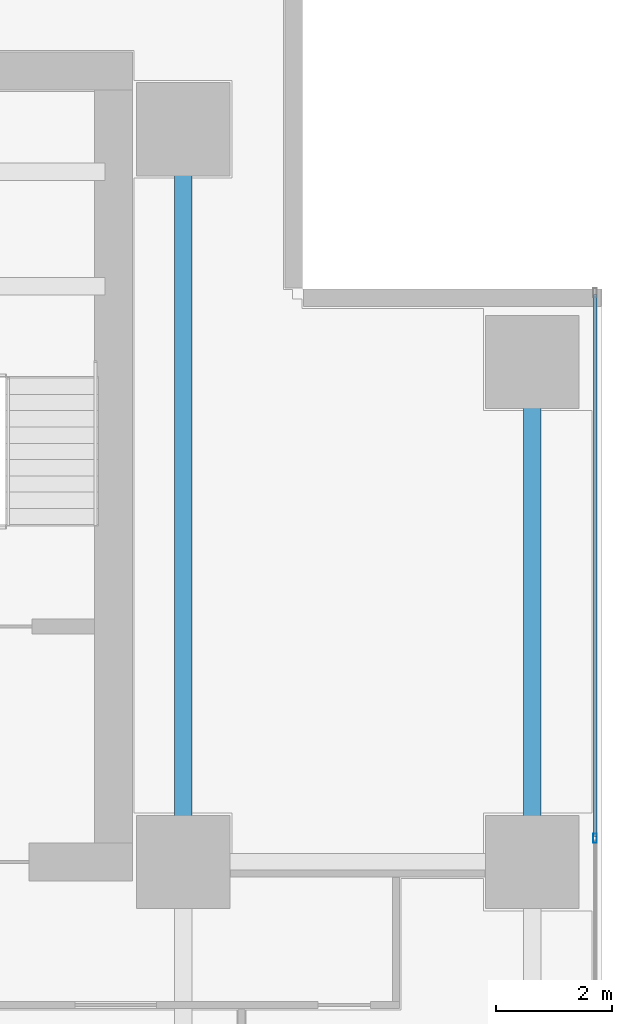
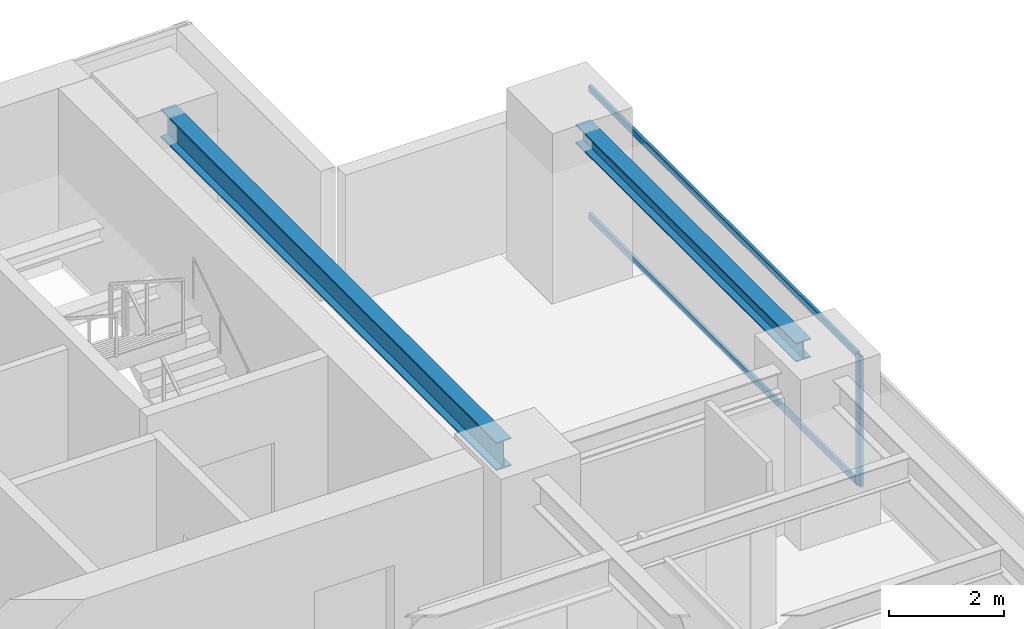
# One storey, part 18 of 28: 3 members, 2 beams, 1 element without a shape of its own.
"""IFC4 building model written with IfcOpenShell, lengths in metres."""

from ifc_helpers import new_model, si_unit, direction, frame, origin, origin_2d, place, context, subcontext, project, spatial, hollow_rectangle, i_section, extrude, source, transform, mapped, material, layer, layer_set, material_profile, profile_set, type_object, element, aggregate, save


model = new_model("IFC4")

# Units and contexts
model_context = context("Model", 3, precision=1e-05, world=origin(), true_north=direction((0.0, 1.0)))
body_context = subcontext(model_context, "Body", "Model", "MODEL_VIEW")
ifc_project = project(units=[si_unit("LENGTHUNIT", "METRE"), si_unit("AREAUNIT", "SQUARE_METRE"), si_unit("VOLUMEUNIT", "CUBIC_METRE"), si_unit("PLANEANGLEUNIT", "RADIAN"), si_unit("MASSUNIT", "GRAM", prefix="KILO")], contexts=[model_context])

# Site, building, storey
site_placement = place(None, origin())
site = spatial("IfcSite", under=ifc_project, at=site_placement, CompositionType="ELEMENT")
building_placement = place(site_placement, origin())
building = spatial("IfcBuilding", under=site, at=building_placement, Name="Sumidabori Civic Tower", CompositionType="ELEMENT")
storey_placement = place(building_placement, frame((0.0, 0.0, 178.39990234375)))
storey = spatial("IfcBuildingStorey", under=building, at=storey_placement, Name="L46", CompositionType="ELEMENT", Elevation=178.39990234375)

# Beams
ifc_material_1 = material(Name="Steel SN490", Category="steel")
ifc_material_profile_1 = material_profile(ifc_material_1, i_section(OverallWidth=0.300048828125, OverallDepth=0.39990234375, WebThickness=0.013427734375, FlangeThickness=0.02392578125, at=origin_2d()), Name="HE 400 B")
ifc_profile_set_1 = profile_set([ifc_material_profile_1], Name="Steel SN490")
beam_type_1 = type_object("IfcBeamType", Name="BM-GIRD-400", PredefinedType="BEAM", material=ifc_profile_set_1)
shared_shape_1 = source(origin(), body_context, "Body", "SweptSolid", [
    extrude(i_section(OverallWidth=0.300048828125, OverallDepth=0.39990234375, WebThickness=0.013427734375, FlangeThickness=0.02392578125, at=origin_2d()), origin(), (0.0, 0.0, 1.0), 7.64013671875),
])
beam_1_placement = place(storey_placement, frame((22.800048828125, 10.679931640625, 3.18017578125), z_axis=(0.0, 1.0, 0.0), x_axis=(-1.0, 0.0, 0.0)))
element("IfcBeam", 1, at=beam_1_placement, inside=storey, type_object=beam_type_1, Name="Primary Girder L46 GY-38", PredefinedType="BEAM", context=body_context, shape_type="MappedRepresentation", body=[
    mapped(shared_shape_1, transform((0.0, 0.0, 0.0), x_axis=(1.0, 0.0, 0.0), y_axis=(0.0, 1.0, 0.0), z_axis=(0.0, 0.0, 1.0), scale=1.0)),
])
ifc_material_profile_2 = material_profile(ifc_material_1, i_section(OverallWidth=0.300048828125, OverallDepth=0.60009765625, WebThickness=0.015380859375, FlangeThickness=0.030029296875, at=origin_2d()), Name="HE 600 B")
ifc_profile_set_2 = profile_set([ifc_material_profile_2], Name="Steel SN490")
beam_type_2 = type_object("IfcBeamType", Name="BM-GIRD-600", PredefinedType="BEAM", material=ifc_profile_set_2)
shared_shape_2 = source(origin(), body_context, "Body", "SweptSolid", [
    extrude(i_section(OverallWidth=0.300048828125, OverallDepth=0.60009765625, WebThickness=0.015380859375, FlangeThickness=0.030029296875, at=origin_2d()), origin(), (0.0, 0.0, 1.0), 11.64013671875),
])
beam_2_placement = place(storey_placement, frame((16.800048828125, 10.679931640625, 3.080078125), z_axis=(0.0, 1.0, 0.0), x_axis=(-1.0, 0.0, 0.0)))
element("IfcBeam", 2, at=beam_2_placement, inside=storey, type_object=beam_type_2, Name="Primary Girder L46 GY-35", PredefinedType="BEAM", context=body_context, shape_type="MappedRepresentation", body=[
    mapped(shared_shape_2, transform((0.0, 0.0, 0.0), x_axis=(1.0, 0.0, 0.0), y_axis=(0.0, 1.0, 0.0), z_axis=(0.0, 0.0, 1.0), scale=1.0)),
])

# Curtain wall, members
ifc_material_2 = material(Name="Anodised Bronze Aluminium AW-6063-T6", Category="aluminium")
ifc_layer = layer(ifc_material_2, 0.179931640625, Name="Anodised Bronze Aluminium AW-6063-T6")
ifc_layer_set = layer_set([ifc_layer], Name="Anodised Bronze Aluminium AW-6063-T6")
curtain_wall_type = type_object("IfcCurtainWallType", Name="CW-SYS-3", PredefinedType="NOTDEFINED", material=ifc_layer_set)
curtain_wall_placement = place(storey_placement, origin())
curtain_wall = element("IfcCurtainWall", 3, at=curtain_wall_placement, inside=storey, type_object=curtain_wall_type, Name="Curtain Wall CW:L46:R04", PredefinedType="NOTDEFINED")
ifc_material_profile_3 = material_profile(ifc_material_2, hollow_rectangle(XDim=0.06494140625, YDim=0.159912109375, WallThickness=0.0048828125, at=origin_2d()), Name="ALU MULLION 160x65")
ifc_profile_set_3 = profile_set([ifc_material_profile_3], Name="Anodised Bronze Aluminium AW-6063-T6")
member_type_1 = type_object("IfcMemberType", Name="CW-MUL-160", PredefinedType="MULLION", material=ifc_profile_set_3)
shared_shape_3 = source(origin(), body_context, "Body", "SweptSolid", [
    extrude(hollow_rectangle(XDim=0.06494140625, YDim=0.159912109375, WallThickness=0.0048828125, at=origin_2d()), origin(), (0.0, 0.0, 1.0), 2.760009765625),
])
member_1_placement = place(storey_placement, frame((23.8798828125, 10.610107421875, 0.0), z_axis=(0.0, 0.0, 1.0), x_axis=(-1.0, 0.0, 0.0)))
member_1 = element("IfcMember", 4, at=member_1_placement, type_object=member_type_1, Name="CW-3 mullion 4", PredefinedType="MULLION", context=body_context, shape_type="MappedRepresentation", body=[
    mapped(shared_shape_3, transform((0.0, 0.0, 0.0), x_axis=(1.0, 0.0, 0.0), y_axis=(0.0, 1.0, 0.0), z_axis=(0.0, 0.0, 1.0), scale=1.0)),
])
ifc_material_profile_4 = material_profile(ifc_material_2, hollow_rectangle(XDim=0.06005859375, YDim=0.1298828125, WallThickness=0.0048828125, at=origin_2d()), Name="ALU TRANSOM 130x60")
ifc_profile_set_4 = profile_set([ifc_material_profile_4], Name="Anodised Bronze Aluminium AW-6063-T6")
member_type_2 = type_object("IfcMemberType", Name="CW-TRN-130", PredefinedType="USERDEFINED", material=ifc_profile_set_4)
shared_shape_4 = source(origin(), body_context, "Body", "SweptSolid", [
    extrude(hollow_rectangle(XDim=0.06005859375, YDim=0.1298828125, WallThickness=0.0048828125, at=origin_2d()), origin(), (0.0, 0.0, 1.0), 9.3125),
])
member_2_placement = place(storey_placement, frame((23.8798828125, 10.642578125, 0.030029296875), z_axis=(0.0, 1.0, 0.0), x_axis=(-1.0, 0.0, 0.0)))
member_2 = element("IfcMember", 5, at=member_2_placement, type_object=member_type_2, Name="CW-3 transom 4.1", ObjectType="TRANSOM", PredefinedType="USERDEFINED", context=body_context, shape_type="MappedRepresentation", body=[
    mapped(shared_shape_4, transform((0.0, 0.0, 0.0), x_axis=(1.0, 0.0, 0.0), y_axis=(0.0, 1.0, 0.0), z_axis=(0.0, 0.0, 1.0), scale=1.0)),
])
member_3_placement = place(storey_placement, frame((23.8798828125, 10.642578125, 2.72998046875), z_axis=(0.0, 1.0, 0.0), x_axis=(-1.0, 0.0, 0.0)))
member_3 = element("IfcMember", 6, at=member_3_placement, type_object=member_type_2, Name="CW-3 transom 4.2", ObjectType="TRANSOM", PredefinedType="USERDEFINED", context=body_context, shape_type="MappedRepresentation", body=[
    mapped(shared_shape_4, transform((0.0, 0.0, 0.0), x_axis=(1.0, 0.0, 0.0), y_axis=(0.0, 1.0, 0.0), z_axis=(0.0, 0.0, 1.0), scale=1.0)),
])
aggregate(curtain_wall, [member_1, member_2, member_3])

save(model, "model.ifc")
